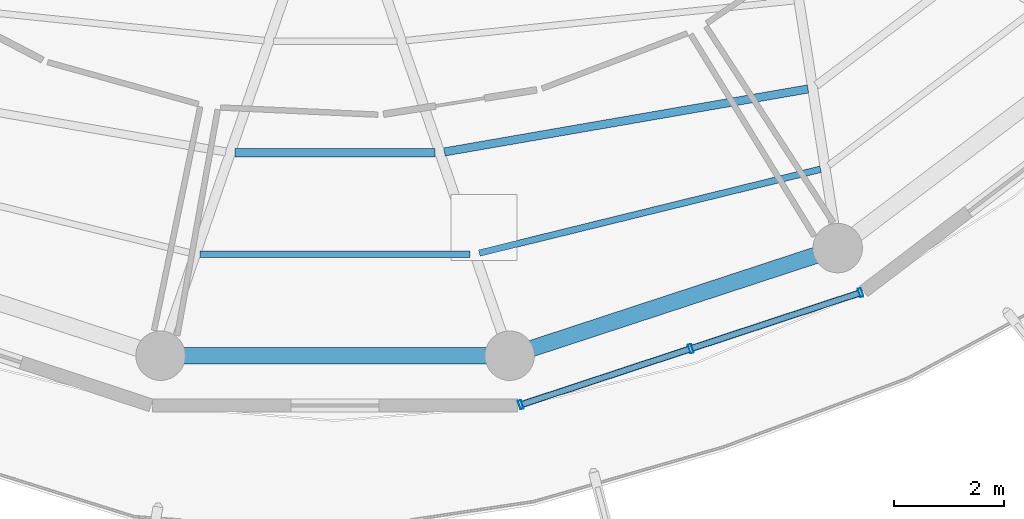
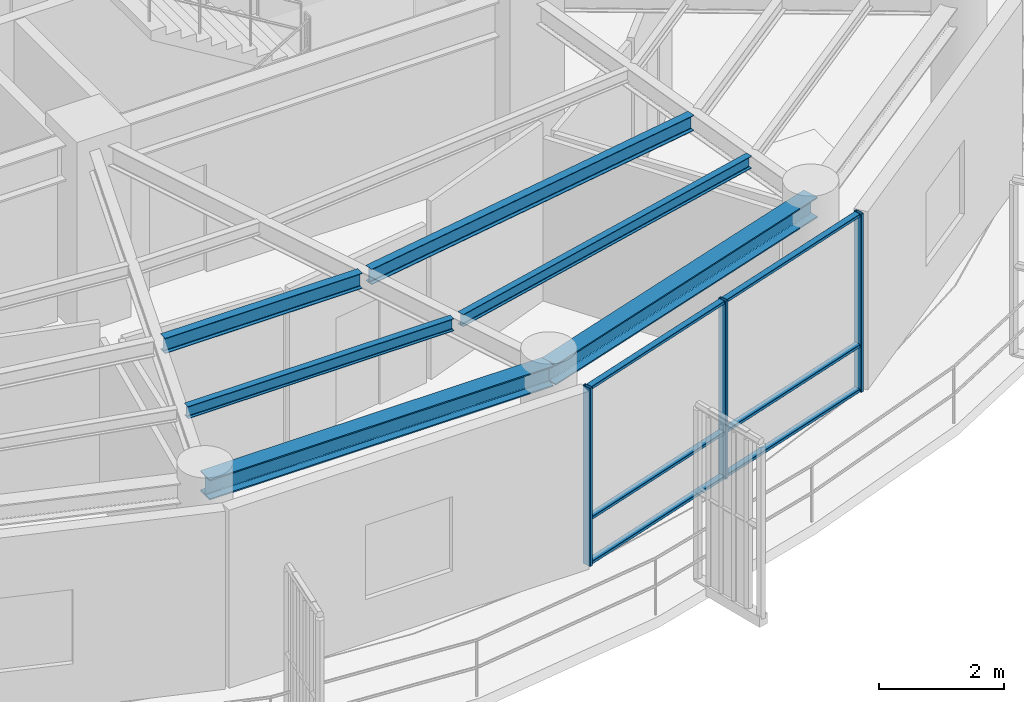
# One storey, part 3 of 22: 9 members, 6 beams, 1 element without a shape of its own.
"""IFC4 building model written with IfcOpenShell, lengths in metres."""

import ifcopenshell
import ifcopenshell.guid

model = None  # the IFC model being written
_history = None  # IfcOwnerHistory: only IFC2X3 demands one
_inside = {}  # id of a spatial element -> (the spatial element, [elements in it])
_under = {}  # id of a project, library or spatial element -> (it, [spatial elements below it])
_declared = {}  # id of a project -> (the project, [libraries it declares])
_typed = {}  # id of a type object -> (the type object, [elements of that type])
_made_of = {}  # id of a material, layer set ... -> (it, [elements and type objects made of it])


def new_model(schema):
    """Start an empty IFC model of exactly this schema.

    Asked for "IFC4X3", IfcOpenShell would pick the latest addendum, in which some entities
    have other attributes; the version numbers below select the first issue.
    IFC2X3 requires an IfcOwnerHistory on every rooted entity: one is made here for all.
    """
    global model, _history
    if schema == "IFC4X3":
        model = ifcopenshell.file(schema_version=(4, 3, 0, 0))
    else:
        model = ifcopenshell.file(schema=schema)
    _inside.clear()
    _under.clear()
    _declared.clear()
    _typed.clear()
    _made_of.clear()
    _history = None
    if model.schema == "IFC2X3":
        org = make("IfcOrganization", Name="unknown")
        user = make(
            "IfcPersonAndOrganization",
            ThePerson=make("IfcPerson", FamilyName="unknown"),
            TheOrganization=org,
        )
        app = make(
            "IfcApplication",
            ApplicationDeveloper=org,
            Version="unknown",
            ApplicationFullName="unknown",
            ApplicationIdentifier="unknown",
        )
        _history = make(
            "IfcOwnerHistory",
            OwningUser=user,
            OwningApplication=app,
            ChangeAction="ADDED",
            CreationDate=0,
        )
    return model


def make(cls, **values):
    """One entity of the class cls with the attributes given. An attribute that is None is left unset."""
    return model.create_entity(
        cls, **{name: value for name, value in values.items() if value is not None}
    )


def rooted(cls, **values):
    """An entity with a GlobalId (a new one), such as an element, a storey or a relation."""
    return make(cls, GlobalId=ifcopenshell.guid.new(), OwnerHistory=_history, **values)


def si_unit(unit_type, name, prefix=None):
    """IfcSIUnit, for example si_unit("LENGTHUNIT", "METRE", prefix="MILLI")."""
    return make("IfcSIUnit", UnitType=unit_type, Prefix=prefix, Name=name)


def assignment(units):
    """IfcUnitAssignment: the units of a project."""
    return None if units is None else make("IfcUnitAssignment", Units=units)


def point(xyz):
    """IfcCartesianPoint."""
    return None if xyz is None else make("IfcCartesianPoint", Coordinates=xyz)


def direction(xyz):
    """IfcDirection."""
    return None if xyz is None else make("IfcDirection", DirectionRatios=xyz)


def frame(location, z_axis=None, x_axis=None):
    """IfcAxis2Placement3D, a coordinate frame: its origin and axes. An axis left out is left unset."""
    return make(
        "IfcAxis2Placement3D",
        Location=point(location),
        Axis=direction(z_axis),
        RefDirection=direction(x_axis),
    )


def frame_2d(location, x_axis=None):
    """IfcAxis2Placement2D, a coordinate frame in the plane: its origin and x axis."""
    return make(
        "IfcAxis2Placement2D", Location=point(location), RefDirection=direction(x_axis)
    )


def origin():
    """The frame at (0, 0, 0) with its axes left unset."""
    return frame((0.0, 0.0, 0.0))


def origin_2d():
    """The frame at (0, 0) in the plane with its x axis left unset."""
    return frame_2d((0.0, 0.0))


def place(relative_to, where):
    """IfcLocalPlacement: puts the frame where relative to a parent placement (None: the world)."""
    return make(
        "IfcLocalPlacement", PlacementRelTo=relative_to, RelativePlacement=where
    )


def context(
    kind, dimensions, precision=None, world=None, true_north=None, identifier=None
):
    """IfcGeometricRepresentationContext, for example the 3D "Model" context."""
    return make(
        "IfcGeometricRepresentationContext",
        ContextIdentifier=identifier,
        ContextType=kind,
        CoordinateSpaceDimension=dimensions,
        Precision=precision,
        WorldCoordinateSystem=world,
        TrueNorth=true_north,
    )


def subcontext(parent, identifier, kind, view, scale=None):
    """IfcGeometricRepresentationSubContext, for example "Body" below "Model"."""
    return make(
        "IfcGeometricRepresentationSubContext",
        ContextIdentifier=identifier,
        ContextType=kind,
        ParentContext=parent,
        TargetScale=scale,
        TargetView=view,
    )


def project(units=None, contexts=None):
    """IfcProject with its units and contexts."""
    return rooted(
        "IfcProject",
        Name="project",
        RepresentationContexts=contexts,
        UnitsInContext=assignment(units),
    )


def spatial(cls, under=None, at=None, **own):
    """A site, building, storey or space (cls), placed at a placement, below another one or the project."""
    s = rooted(cls, ObjectPlacement=at, **own)
    if under is not None:
        _under.setdefault(under.id(), (under, []))[1].append(s)
    return s


def profile(cls, at=None, kind="AREA", **sizes):
    """A parametric profile (cls). Its sizes go by their IFC names, for example OverallWidth=200.0."""
    return make(cls, ProfileType=kind, Position=at, **sizes)


def hollow_rectangle(**sizes):
    """IfcRectangleHollowProfileDef."""
    return profile("IfcRectangleHollowProfileDef", **sizes)


def i_section(**sizes):
    """IfcIShapeProfileDef."""
    return profile("IfcIShapeProfileDef", **sizes)


def extrude(swept, where, along, depth):
    """IfcExtrudedAreaSolid: the profile swept, set in the frame where, extruded along a direction by depth."""
    return make(
        "IfcExtrudedAreaSolid",
        SweptArea=swept,
        Position=where,
        ExtrudedDirection=direction(along),
        Depth=depth,
    )


def shape(context_of_items, identifier, shape_type, items):
    """IfcShapeRepresentation: the items that make up one representation, for example the "Body"."""
    return make(
        "IfcShapeRepresentation",
        ContextOfItems=context_of_items,
        RepresentationIdentifier=identifier,
        RepresentationType=shape_type,
        Items=items,
    )


def material(Name=None, Category=None):
    """IfcMaterial."""
    return make("IfcMaterial", Name=Name, Category=Category)


def layer(
    of_material, thickness, ventilated=None, Name=None, Category=None, Priority=None
):
    """IfcMaterialLayer: one layer of a wall or slab, of a material (None: an air gap)."""
    return make(
        "IfcMaterialLayer",
        Material=of_material,
        LayerThickness=thickness,
        IsVentilated=ventilated,
        Name=Name,
        Category=Category,
        Priority=Priority,
    )


def layer_set(layers, Name=None):
    """IfcMaterialLayerSet."""
    return make("IfcMaterialLayerSet", MaterialLayers=layers, LayerSetName=Name)


def material_profile(
    of_material, cross_section, Name=None, Category=None, Priority=None
):
    """IfcMaterialProfile: a cross section and its material."""
    return make(
        "IfcMaterialProfile",
        Name=Name,
        Material=of_material,
        Profile=cross_section,
        Priority=Priority,
        Category=Category,
    )


def profile_set(profiles, Name=None, composite=None):
    """IfcMaterialProfileSet."""
    return make(
        "IfcMaterialProfileSet",
        Name=Name,
        MaterialProfiles=profiles,
        CompositeProfile=composite,
    )


def made_of(thing, what):
    """Note that an element or type object is made of a material, layer set ...; save() writes the relation."""
    if what is not None:
        _made_of.setdefault(what.id(), (what, []))[1].append(thing)
    return thing


def type_object(cls, material=None, **own):
    """A type object (cls), such as IfcWallType, which elements share."""
    return made_of(rooted(cls, **own), material)


def element(
    cls,
    number,
    at=None,
    inside=None,
    cuts=None,
    type_object=None,
    material=None,
    context=None,
    identifier="Body",
    shape_type=None,
    held_by="IfcProductDefinitionShape",
    body=None,
    shapes=None,
    **own,
):
    """One element of the class cls, such as IfcWall. Its Tag is "e" and its number.

    at: its placement. inside: the storey or other place that contains it. cuts: it is an
    opening in that element (IfcRelVoidsElement). A single representation is given by context,
    identifier, shape_type and body (its items); several are given by shapes. held_by: the class
    of the entity that holds the representations. save() writes the other relations.
    """
    e = rooted(cls, Tag="e%d" % number, ObjectPlacement=at, **own)
    if body is not None:
        shapes = [shape(context, identifier, shape_type, body)]
    if shapes is not None:
        e.Representation = make(held_by, Representations=shapes)
    if inside is not None:
        _inside.setdefault(inside.id(), (inside, []))[1].append(e)
    if cuts is not None:
        rooted(
            "IfcRelVoidsElement", RelatingBuildingElement=cuts, RelatedOpeningElement=e
        )
    if type_object is not None:
        _typed.setdefault(type_object.id(), (type_object, []))[1].append(e)
    return made_of(e, material)


def aggregate(whole, parts):
    """IfcRelAggregates: a whole, such as a stair, and the parts it consists of."""
    return rooted("IfcRelAggregates", RelatingObject=whole, RelatedObjects=parts)


def save(model, path):
    """Write the relations noted so far, then the file.

    IfcRelAggregates (storeys below a building ...), IfcRelContainedInSpatialStructure (elements
    in a storey), IfcRelDefinesByType, IfcRelAssociatesMaterial and IfcRelDeclares: one each for
    every whole, place, type object, material and project.
    """
    for whole, parts in _under.values():
        aggregate(whole, parts)
    for where, things in _inside.values():
        rooted(
            "IfcRelContainedInSpatialStructure",
            RelatedElements=things,
            RelatingStructure=where,
        )
    for kind, things in _typed.values():
        rooted("IfcRelDefinesByType", RelatedObjects=things, RelatingType=kind)
    for what, things in _made_of.values():
        rooted("IfcRelAssociatesMaterial", RelatedObjects=things, RelatingMaterial=what)
    for by, libraries in _declared.values():
        rooted("IfcRelDeclares", RelatingContext=by, RelatedDefinitions=libraries)
    model.write(path)


model = new_model("IFC4")

# Units and contexts
model_context = context("Model", 3, precision=1e-05, world=origin(), true_north=direction((0.0, 1.0)))
body_context = subcontext(model_context, "Body", "Model", "MODEL_VIEW")
ifc_project = project(units=[si_unit("LENGTHUNIT", "METRE"), si_unit("AREAUNIT", "SQUARE_METRE"), si_unit("VOLUMEUNIT", "CUBIC_METRE"), si_unit("PLANEANGLEUNIT", "RADIAN"), si_unit("MASSUNIT", "GRAM", prefix="KILO")], contexts=[model_context])

# Site, building, storey
site_placement = place(None, origin())
site = spatial("IfcSite", under=ifc_project, at=site_placement, CompositionType="ELEMENT")
building_placement = place(site_placement, origin())
building = spatial("IfcBuilding", under=site, at=building_placement, Name="Kelanora Arch Commons", CompositionType="ELEMENT")
storey_placement = place(building_placement, frame((0.0, 0.0, 263.699951171875)))
storey = spatial("IfcBuildingStorey", under=building, at=storey_placement, Name="L67", CompositionType="ELEMENT", Elevation=263.699951171875)

# Beams
ifc_material_1 = material(Name="Steel S355", Category="steel")
ifc_material_profile_1 = material_profile(ifc_material_1, i_section(OverallWidth=0.14990234375, OverallDepth=0.300048828125, WebThickness=0.007080078125, FlangeThickness=0.0107421875, FilletRadius=0.014892578125, at=origin_2d()), Name="IPE300")
ifc_profile_set_1 = profile_set([ifc_material_profile_1], Name="Steel S355")
beam_type_1 = type_object("IfcBeamType", Name="BM-JST-01", PredefinedType="JOIST", material=ifc_profile_set_1)
beam_1_placement = place(storey_placement, frame((72.180419921875, 45.462158203125, 3.340087890625), z_axis=(1.0, 0.0, 0.0), x_axis=(0.0, 1.0, 0.0)))
element("IfcBeam", 1, at=beam_1_placement, inside=storey, type_object=beam_type_1, Name="Secondary Chord Joist BJB-26 L67", PredefinedType="JOIST", context=body_context, shape_type="SweptSolid", body=[
    extrude(i_section(OverallWidth=0.14990234375, OverallDepth=0.300048828125, WebThickness=0.007080078125, FlangeThickness=0.0107421875, FilletRadius=0.014892578125, at=origin_2d()), origin(), (0.0, 0.0, 1.0), 3.63916015625),
])
beam_2_placement = place(storey_placement, frame((75.98828125, 45.476806640625, 3.340087890625), z_axis=(0.985321568263, 0.170708544357, 0.0), x_axis=(-0.170708544357, 0.985321568263, 0.0)))
element("IfcBeam", 2, at=beam_2_placement, inside=storey, type_object=beam_type_1, Name="Secondary Chord Joist BJB-28 L67", PredefinedType="JOIST", context=body_context, shape_type="SweptSolid", body=[
    extrude(i_section(OverallWidth=0.14990234375, OverallDepth=0.300048828125, WebThickness=0.007080078125, FlangeThickness=0.0107421875, FilletRadius=0.014892578125, at=origin_2d()), origin(), (0.0, 0.0, 1.0), 6.710205078125),
])
ifc_material_profile_2 = material_profile(ifc_material_1, i_section(OverallWidth=0.1201171875, OverallDepth=0.239990234375, WebThickness=0.006103515625, FlangeThickness=0.009765625, FilletRadius=0.014892578125, at=origin_2d()), Name="IPE240")
ifc_profile_set_2 = profile_set([ifc_material_profile_2], Name="Steel S355")
beam_type_2 = type_object("IfcBeamType", Name="BM-JST-02", PredefinedType="JOIST", material=ifc_profile_set_2)
beam_3_placement = place(storey_placement, frame((71.545654296875, 43.6162109375, 3.3701171875), z_axis=(1.0, 0.0, 0.0), x_axis=(0.0, 1.0, 0.0)))
element("IfcBeam", 3, at=beam_3_placement, inside=storey, type_object=beam_type_2, Name="Secondary Chord Joist BJC-26 L67", PredefinedType="JOIST", context=body_context, shape_type="SweptSolid", body=[
    extrude(i_section(OverallWidth=0.1201171875, OverallDepth=0.239990234375, WebThickness=0.006103515625, FlangeThickness=0.009765625, FilletRadius=0.014892578125, at=origin_2d()), origin(), (0.0, 0.0, 1.0), 4.90869140625),
])
beam_4_placement = place(storey_placement, frame((76.6220703125, 43.63671875, 3.3701171875), z_axis=(0.971109719488, 0.23863342749, 0.0), x_axis=(-0.23863342749, 0.971109719488, 0.0)))
element("IfcBeam", 4, at=beam_4_placement, inside=storey, type_object=beam_type_2, Name="Secondary Chord Joist BJC-28 L67", PredefinedType="JOIST", context=body_context, shape_type="SweptSolid", body=[
    extrude(i_section(OverallWidth=0.1201171875, OverallDepth=0.239990234375, WebThickness=0.006103515625, FlangeThickness=0.009765625, FilletRadius=0.014892578125, at=origin_2d()), origin(), (0.0, 0.0, 1.0), 6.39208984375),
])
ifc_material_profile_3 = material_profile(ifc_material_1, i_section(OverallWidth=0.300048828125, OverallDepth=0.39990234375, WebThickness=0.013427734375, FlangeThickness=0.02392578125, FilletRadius=0.027099609375, at=origin_2d()), Name="HEB400")
ifc_profile_set_3 = profile_set([ifc_material_profile_3], Name="Steel S355")
beam_type_3 = type_object("IfcBeamType", Name="BM-SPN-Z4", PredefinedType="SPANDREL", material=ifc_profile_set_3)
beam_5_placement = place(storey_placement, frame((70.82568359375, 41.7705078125, 3.2900390625), z_axis=(1.0, 0.0, 0.0), x_axis=(0.0, 1.0, 0.0)))
element("IfcBeam", 5, at=beam_5_placement, inside=storey, type_object=beam_type_3, Name="Perimeter Spandrel Beam BS-26 L67", PredefinedType="SPANDREL", context=body_context, shape_type="SweptSolid", body=[
    extrude(i_section(OverallWidth=0.300048828125, OverallDepth=0.39990234375, WebThickness=0.013427734375, FlangeThickness=0.02392578125, FilletRadius=0.027099609375, at=origin_2d()), origin(), (0.0, 0.0, 1.0), 6.3486328125),
])
beam_6_placement = place(storey_placement, frame((77.17431640625, 41.7705078125, 3.2900390625), z_axis=(0.950165923039, 0.311744636996, 0.0), x_axis=(-0.311744636996, 0.950165923039, 0.0)))
element("IfcBeam", 6, at=beam_6_placement, inside=storey, type_object=beam_type_3, Name="Perimeter Spandrel Beam BS-28 L67", PredefinedType="SPANDREL", context=body_context, shape_type="SweptSolid", body=[
    extrude(i_section(OverallWidth=0.300048828125, OverallDepth=0.39990234375, WebThickness=0.013427734375, FlangeThickness=0.02392578125, FilletRadius=0.027099609375, at=origin_2d()), origin(), (0.0, 0.0, 1.0), 6.278564453125),
])

# Curtain wall, members
ifc_material_2 = material(Name="Terracotta ceramic-fritted low-E glass and aluminium", Category="masonry")
ifc_layer = layer(ifc_material_2, 0.18994140625)
ifc_layer_set = layer_set([ifc_layer], Name="Terracotta ceramic-fritted low-E glass and aluminium")
curtain_wall_type = type_object("IfcCurtainWallType", Name="CW-SYS-03", PredefinedType="NOTDEFINED", material=ifc_layer_set)
curtain_wall_placement = place(storey_placement, origin())
curtain_wall = element("IfcCurtainWall", 7, at=curtain_wall_placement, inside=storey, type_object=curtain_wall_type, Name="Unitised Curtain Wall L67-B14", PredefinedType="NOTDEFINED")
ifc_material_3 = material(Name="Powder-coated aluminium terracotta", Category="masonry")
ifc_material_profile_4 = material_profile(ifc_material_3, hollow_rectangle(XDim=0.159912109375, YDim=0.06005859375, WallThickness=0.0048828125, InnerFilletRadius=0.0048828125, OuterFilletRadius=0.010009765625, at=origin_2d()), Name="CWM160x60")
ifc_profile_set_4 = profile_set([ifc_material_profile_4], Name="Powder-coated aluminium terracotta")
member_type_1 = type_object("IfcMemberType", Name="CWM-STD", PredefinedType="MULLION", material=ifc_profile_set_4)
member_1_placement = place(storey_placement, frame((77.376708984375, 40.87841796875, 0.0), z_axis=(0.0, 0.0, 1.0), x_axis=(-0.313252785344, 0.949669780752, 0.0)))
member_1 = element("IfcMember", 8, at=member_1_placement, type_object=member_type_1, Name="CW-03 mullion 1", PredefinedType="MULLION", context=body_context, shape_type="SweptSolid", body=[
    extrude(hollow_rectangle(XDim=0.159912109375, YDim=0.06005859375, WallThickness=0.0048828125, InnerFilletRadius=0.0048828125, OuterFilletRadius=0.010009765625, at=origin_2d()), origin(), (0.0, 0.0, 1.0), 3.47509765625),
])
member_2_placement = place(storey_placement, frame((80.467041015625, 41.897705078125, 0.0), z_axis=(0.0, 0.0, 1.0), x_axis=(-0.313252785344, 0.949669780752, 0.0)))
member_2 = element("IfcMember", 9, at=member_2_placement, type_object=member_type_1, Name="CW-03 mullion 2", PredefinedType="MULLION", context=body_context, shape_type="SweptSolid", body=[
    extrude(hollow_rectangle(XDim=0.159912109375, YDim=0.06005859375, WallThickness=0.0048828125, InnerFilletRadius=0.0048828125, OuterFilletRadius=0.010009765625, at=origin_2d()), origin(), (0.0, 0.0, 1.0), 3.47509765625),
])
member_3_placement = place(storey_placement, frame((83.557373046875, 42.9169921875, 0.0), z_axis=(0.0, 0.0, 1.0), x_axis=(-0.313252785344, 0.949669780752, 0.0)))
member_3 = element("IfcMember", 10, at=member_3_placement, type_object=member_type_1, Name="CW-03 mullion 3", PredefinedType="MULLION", context=body_context, shape_type="SweptSolid", body=[
    extrude(hollow_rectangle(XDim=0.159912109375, YDim=0.06005859375, WallThickness=0.0048828125, InnerFilletRadius=0.0048828125, OuterFilletRadius=0.010009765625, at=origin_2d()), origin(), (0.0, 0.0, 1.0), 3.47509765625),
])
ifc_material_profile_5 = material_profile(ifc_material_3, hollow_rectangle(XDim=0.1201171875, YDim=0.06005859375, WallThickness=0.0048828125, InnerFilletRadius=0.0048828125, OuterFilletRadius=0.010009765625, at=origin_2d()), Name="CWT120x60")
ifc_profile_set_5 = profile_set([ifc_material_profile_5], Name="Powder-coated aluminium terracotta")
member_type_2 = type_object("IfcMemberType", Name="CWT-STD", PredefinedType="USERDEFINED", material=ifc_profile_set_5)
member_4_placement = place(storey_placement, frame((77.4052734375, 40.8876953125, 0.030029296875), z_axis=(0.949649574195, 0.313314037719, 0.0), x_axis=(-0.313314037719, 0.949649574195, 0.0)))
member_4 = element("IfcMember", 11, at=member_4_placement, type_object=member_type_2, Name="CW-03 transom 1.1", ObjectType="TRANSOM", PredefinedType="USERDEFINED", context=body_context, shape_type="SweptSolid", body=[
    extrude(hollow_rectangle(XDim=0.1201171875, YDim=0.06005859375, WallThickness=0.0048828125, InnerFilletRadius=0.0048828125, OuterFilletRadius=0.010009765625, at=origin_2d()), origin(), (0.0, 0.0, 1.0), 3.194091796875),
])
member_5_placement = place(storey_placement, frame((77.4052734375, 40.8876953125, 0.900146484375), z_axis=(0.949649574195, 0.313314037719, 0.0), x_axis=(-0.313314037719, 0.949649574195, 0.0)))
member_5 = element("IfcMember", 12, at=member_5_placement, type_object=member_type_2, Name="CW-03 transom 1.2", ObjectType="TRANSOM", PredefinedType="USERDEFINED", context=body_context, shape_type="SweptSolid", body=[
    extrude(hollow_rectangle(XDim=0.1201171875, YDim=0.06005859375, WallThickness=0.0048828125, InnerFilletRadius=0.0048828125, OuterFilletRadius=0.010009765625, at=origin_2d()), origin(), (0.0, 0.0, 1.0), 3.194091796875),
])
member_6_placement = place(storey_placement, frame((77.4052734375, 40.8876953125, 3.445068359375), z_axis=(0.949649574195, 0.313314037719, 0.0), x_axis=(-0.313314037719, 0.949649574195, 0.0)))
member_6 = element("IfcMember", 13, at=member_6_placement, type_object=member_type_2, Name="CW-03 transom 1.3", ObjectType="TRANSOM", PredefinedType="USERDEFINED", context=body_context, shape_type="SweptSolid", body=[
    extrude(hollow_rectangle(XDim=0.1201171875, YDim=0.06005859375, WallThickness=0.0048828125, InnerFilletRadius=0.0048828125, OuterFilletRadius=0.010009765625, at=origin_2d()), origin(), (0.0, 0.0, 1.0), 3.194091796875),
])
member_7_placement = place(storey_placement, frame((80.49560546875, 41.9072265625, 0.030029296875), z_axis=(0.949672315102, 0.313245102003, 0.0), x_axis=(-0.313245102003, 0.949672315102, 0.0)))
member_7 = element("IfcMember", 14, at=member_7_placement, type_object=member_type_2, Name="CW-03 transom 2.1", ObjectType="TRANSOM", PredefinedType="USERDEFINED", context=body_context, shape_type="SweptSolid", body=[
    extrude(hollow_rectangle(XDim=0.1201171875, YDim=0.06005859375, WallThickness=0.0048828125, InnerFilletRadius=0.0048828125, OuterFilletRadius=0.010009765625, at=origin_2d()), origin(), (0.0, 0.0, 1.0), 3.19384765625),
])
member_8_placement = place(storey_placement, frame((80.49560546875, 41.9072265625, 0.900146484375), z_axis=(0.949672315102, 0.313245102003, 0.0), x_axis=(-0.313245102003, 0.949672315102, 0.0)))
member_8 = element("IfcMember", 15, at=member_8_placement, type_object=member_type_2, Name="CW-03 transom 2.2", ObjectType="TRANSOM", PredefinedType="USERDEFINED", context=body_context, shape_type="SweptSolid", body=[
    extrude(hollow_rectangle(XDim=0.1201171875, YDim=0.06005859375, WallThickness=0.0048828125, InnerFilletRadius=0.0048828125, OuterFilletRadius=0.010009765625, at=origin_2d()), origin(), (0.0, 0.0, 1.0), 3.19384765625),
])
member_9_placement = place(storey_placement, frame((80.49560546875, 41.9072265625, 3.445068359375), z_axis=(0.949672315102, 0.313245102003, 0.0), x_axis=(-0.313245102003, 0.949672315102, 0.0)))
member_9 = element("IfcMember", 16, at=member_9_placement, type_object=member_type_2, Name="CW-03 transom 2.3", ObjectType="TRANSOM", PredefinedType="USERDEFINED", context=body_context, shape_type="SweptSolid", body=[
    extrude(hollow_rectangle(XDim=0.1201171875, YDim=0.06005859375, WallThickness=0.0048828125, InnerFilletRadius=0.0048828125, OuterFilletRadius=0.010009765625, at=origin_2d()), origin(), (0.0, 0.0, 1.0), 3.19384765625),
])
aggregate(curtain_wall, [member_1, member_2, member_3, member_4, member_5, member_6, member_7, member_8, member_9])

save(model, "model.ifc")
